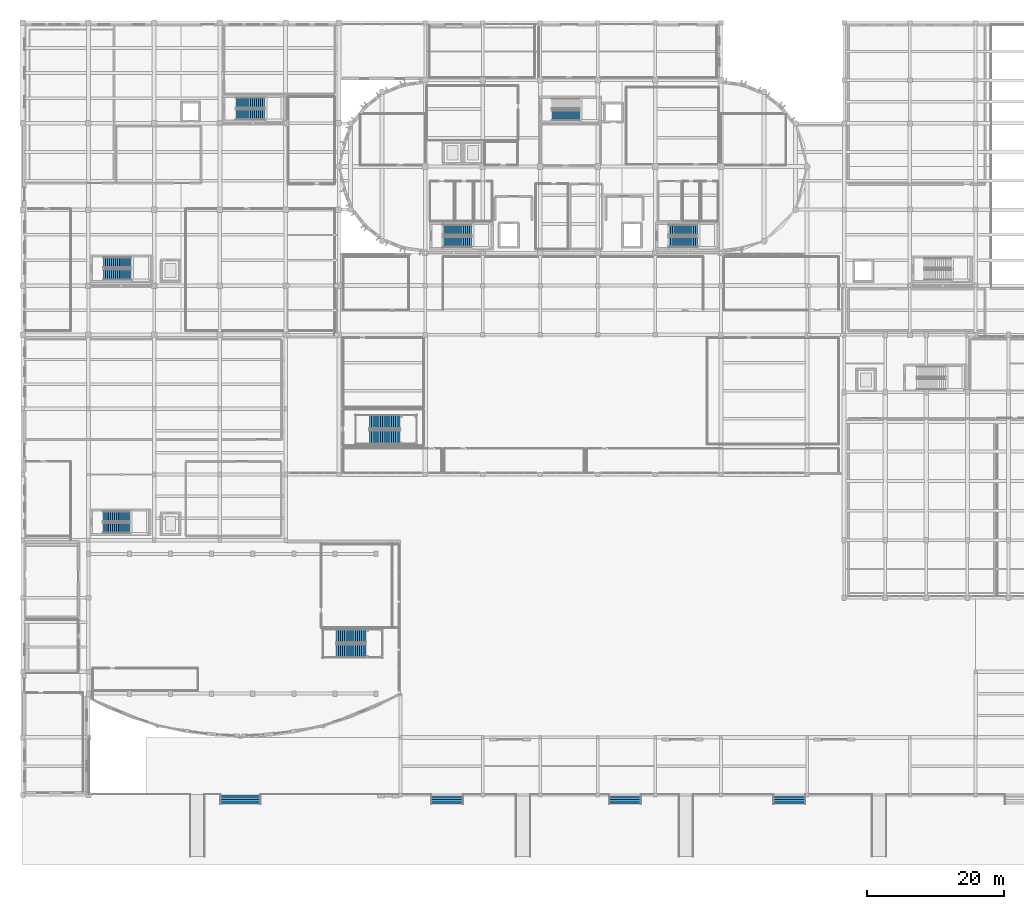
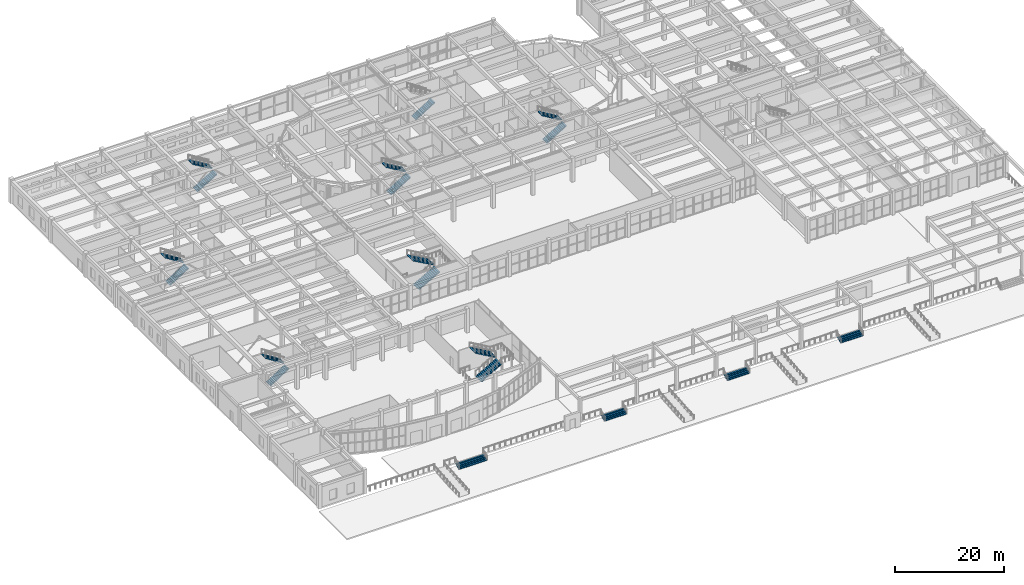
# One storey, part 78 of 98: 19 stair flights, 12 elements without a shape of their own.
"""IFC4 building model written with IfcOpenShell, lengths in metres."""

from ifc_helpers import new_model, si_unit, direction, frame, origin, place, context, subcontext, project, spatial, polyline, outline, extrude, material, type_object, element, aggregate, save


model = new_model("IFC4")

# Units and contexts
model_context = context("Model", 3, precision=1e-05, world=origin(), true_north=direction((0.0, 1.0)))
body_context = subcontext(model_context, "Body", "Model", "MODEL_VIEW")
ifc_project = project(units=[si_unit("LENGTHUNIT", "METRE"), si_unit("AREAUNIT", "SQUARE_METRE"), si_unit("VOLUMEUNIT", "CUBIC_METRE"), si_unit("PLANEANGLEUNIT", "RADIAN"), si_unit("MASSUNIT", "GRAM", prefix="KILO")], contexts=[model_context])

# Site, building, storey
site_placement = place(None, origin())
site = spatial("IfcSite", under=ifc_project, at=site_placement, CompositionType="ELEMENT")
building_placement = place(site_placement, origin())
building = spatial("IfcBuilding", under=site, at=building_placement, Name="Tarnavel Promenade Courthouse", CompositionType="ELEMENT")
storey_placement = place(building_placement, origin())
storey = spatial("IfcBuildingStorey", under=building, at=storey_placement, Name="L01", CompositionType="ELEMENT", Elevation=0.0)

# Stair, stair flights
ifc_material = material(Name="Concrete C35/45", Category="concrete")
stair_type_1 = type_object("IfcStairType", Name="Concrete C35/45 Half-Turn Stair STR-02 (1560W-300G-30R)", PredefinedType="HALF_TURN_STAIR", material=ifc_material)
stair_1_placement = place(storey_placement, origin())
stair_1 = element("IfcStair", 1, at=stair_1_placement, inside=storey, type_object=stair_type_1, Name="L01 West Bar Firefighting Exit Stair", PredefinedType="HALF_TURN_STAIR")
stair_flight_type_1 = type_object("IfcStairFlightType", Name="Concrete C35/45 Stair Flight STF-02 (1560W-300G-30R)", PredefinedType="STRAIGHT", material=ifc_material)
stair_flight_1_placement = place(storey_placement, frame((61.360107421875, 80.780029296875, 0.0), z_axis=(0.0, 0.0, 1.0), x_axis=(1.0, 0.0, 0.0)))
stair_flight_1 = element("IfcStairFlight", 2, at=stair_flight_1_placement, type_object=stair_flight_type_1, Name="ST-01 flight 1", NumberOfRisers=15, NumberOfTreads=14, PredefinedType="STRAIGHT", RiserHeight=0.18, TreadLength=0.3, context=body_context, shape_type="SweptSolid", body=[
    extrude(outline(polyline([(0.0, 0.0), (0.0, 0.179931640625), (0.300048828125, 0.179931640625), (0.300048828125, 0.360107421875), (0.60009765625, 0.360107421875), (0.60009765625, 0.5400390625), (0.89990234375, 0.5400390625), (0.89990234375, 0.719970703125), (1.199951171875, 0.719970703125), (1.199951171875, 0.89990234375), (1.5, 0.89990234375), (1.5, 1.080078125), (1.800048828125, 1.080078125), (1.800048828125, 1.260009765625), (2.10009765625, 1.260009765625), (2.10009765625, 1.43994140625), (2.39990234375, 1.43994140625), (2.39990234375, 1.6201171875), (2.699951171875, 1.6201171875), (2.699951171875, 1.800048828125), (3.0, 1.800048828125), (3.0, 1.97998046875), (3.300048828125, 1.97998046875), (3.300048828125, 2.159912109375), (3.60009765625, 2.159912109375), (3.60009765625, 2.340087890625), (3.89990234375, 2.340087890625), (3.89990234375, 2.52001953125), (4.199951171875, 2.52001953125), (4.199951171875, 2.699951171875), (4.199951171875, 2.34521484375), (0.291259765625, 0.0), (0.0, 0.0)])), frame((0.0, 0.780029296875, 0.0), z_axis=(0.0, -1.0, 0.0), x_axis=(1.0, 0.0, 0.0)), (0.0, 0.0, 1.0), 1.56005859375),
])
stair_flight_2_placement = place(storey_placement, frame((65.56005859375, 82.5400390625, 2.699951171875), z_axis=(0.0, 0.0, 1.0), x_axis=(-1.0, 0.0, 0.0)))
stair_flight_2 = element("IfcStairFlight", 3, at=stair_flight_2_placement, type_object=stair_flight_type_1, Name="ST-01 flight 2", NumberOfRisers=15, NumberOfTreads=14, PredefinedType="STRAIGHT", RiserHeight=0.18, TreadLength=0.3, context=body_context, shape_type="SweptSolid", body=[
    extrude(outline(polyline([(0.0, 0.0), (0.0, 0.179931640625), (0.300048828125, 0.179931640625), (0.300048828125, 0.360107421875), (0.60009765625, 0.360107421875), (0.60009765625, 0.5400390625), (0.89990234375, 0.5400390625), (0.89990234375, 0.719970703125), (1.199951171875, 0.719970703125), (1.199951171875, 0.89990234375), (1.5, 0.89990234375), (1.5, 1.080078125), (1.800048828125, 1.080078125), (1.800048828125, 1.260009765625), (2.10009765625, 1.260009765625), (2.10009765625, 1.43994140625), (2.39990234375, 1.43994140625), (2.39990234375, 1.6201171875), (2.699951171875, 1.6201171875), (2.699951171875, 1.800048828125), (3.0, 1.800048828125), (3.0, 1.97998046875), (3.300048828125, 1.97998046875), (3.300048828125, 2.159912109375), (3.60009765625, 2.159912109375), (3.60009765625, 2.340087890625), (3.89990234375, 2.340087890625), (3.89990234375, 2.52001953125), (4.199951171875, 2.52001953125), (4.199951171875, 2.699951171875), (4.199951171875, 2.34521484375), (0.291259765625, 0.0), (0.0, 0.0)])), frame((0.0, 0.780029296875, 0.0), z_axis=(0.0, -1.0, 0.0), x_axis=(1.0, 0.0, 0.0)), (0.0, 0.0, 1.0), 1.56005859375),
])
aggregate(stair_1, [stair_flight_1, stair_flight_2])

stair_2_placement = place(storey_placement, origin())
stair_2 = element("IfcStair", 4, at=stair_2_placement, inside=storey, type_object=stair_type_1, Name="L01 East Bar Firefighting Exit Stair", PredefinedType="HALF_TURN_STAIR")
stair_flight_3_placement = place(storey_placement, frame((94.360107421875, 80.780029296875, 0.0), z_axis=(0.0, 0.0, 1.0), x_axis=(1.0, 0.0, 0.0)))
stair_flight_3 = element("IfcStairFlight", 5, at=stair_flight_3_placement, type_object=stair_flight_type_1, Name="ST-02 flight 1", NumberOfRisers=15, NumberOfTreads=14, PredefinedType="STRAIGHT", RiserHeight=0.18, TreadLength=0.3, context=body_context, shape_type="SweptSolid", body=[
    extrude(outline(polyline([(0.0, 0.0), (0.0, 0.179931640625), (0.300048828125, 0.179931640625), (0.300048828125, 0.360107421875), (0.60009765625, 0.360107421875), (0.60009765625, 0.5400390625), (0.89990234375, 0.5400390625), (0.89990234375, 0.719970703125), (1.199951171875, 0.719970703125), (1.199951171875, 0.89990234375), (1.5, 0.89990234375), (1.5, 1.080078125), (1.800048828125, 1.080078125), (1.800048828125, 1.260009765625), (2.10009765625, 1.260009765625), (2.10009765625, 1.43994140625), (2.39990234375, 1.43994140625), (2.39990234375, 1.6201171875), (2.699951171875, 1.6201171875), (2.699951171875, 1.800048828125), (3.0, 1.800048828125), (3.0, 1.97998046875), (3.300048828125, 1.97998046875), (3.300048828125, 2.159912109375), (3.60009765625, 2.159912109375), (3.60009765625, 2.340087890625), (3.89990234375, 2.340087890625), (3.89990234375, 2.52001953125), (4.199951171875, 2.52001953125), (4.199951171875, 2.699951171875), (4.199951171875, 2.34521484375), (0.291259765625, 0.0), (0.0, 0.0)])), frame((0.0, 0.780029296875, 0.0), z_axis=(0.0, -1.0, 0.0), x_axis=(1.0, 0.0, 0.0)), (0.0, 0.0, 1.0), 1.56005859375),
])
stair_flight_4_placement = place(storey_placement, frame((98.56005859375, 82.5400390625, 2.699951171875), z_axis=(0.0, 0.0, 1.0), x_axis=(-1.0, 0.0, 0.0)))
stair_flight_4 = element("IfcStairFlight", 6, at=stair_flight_4_placement, type_object=stair_flight_type_1, Name="ST-02 flight 2", NumberOfRisers=15, NumberOfTreads=14, PredefinedType="STRAIGHT", RiserHeight=0.18, TreadLength=0.3, context=body_context, shape_type="SweptSolid", body=[
    extrude(outline(polyline([(0.0, 0.0), (0.0, 0.179931640625), (0.300048828125, 0.179931640625), (0.300048828125, 0.360107421875), (0.60009765625, 0.360107421875), (0.60009765625, 0.5400390625), (0.89990234375, 0.5400390625), (0.89990234375, 0.719970703125), (1.199951171875, 0.719970703125), (1.199951171875, 0.89990234375), (1.5, 0.89990234375), (1.5, 1.080078125), (1.800048828125, 1.080078125), (1.800048828125, 1.260009765625), (2.10009765625, 1.260009765625), (2.10009765625, 1.43994140625), (2.39990234375, 1.43994140625), (2.39990234375, 1.6201171875), (2.699951171875, 1.6201171875), (2.699951171875, 1.800048828125), (3.0, 1.800048828125), (3.0, 1.97998046875), (3.300048828125, 1.97998046875), (3.300048828125, 2.159912109375), (3.60009765625, 2.159912109375), (3.60009765625, 2.340087890625), (3.89990234375, 2.340087890625), (3.89990234375, 2.52001953125), (4.199951171875, 2.52001953125), (4.199951171875, 2.699951171875), (4.199951171875, 2.34521484375), (0.291259765625, 0.0), (0.0, 0.0)])), frame((0.0, 0.780029296875, 0.0), z_axis=(0.0, -1.0, 0.0), x_axis=(1.0, 0.0, 0.0)), (0.0, 0.0, 1.0), 1.56005859375),
])
aggregate(stair_2, [stair_flight_3, stair_flight_4])

# Stair, stair flight
stair_type_2 = type_object("IfcStairType", Name="Concrete C35/45 Half-Turn Stair STR-05 (1520W-290G-30R)", PredefinedType="HALF_TURN_STAIR", material=ifc_material)
stair_3_placement = place(storey_placement, origin())
stair_3 = element("IfcStair", 7, at=stair_3_placement, inside=storey, type_object=stair_type_2, Name="L01 Central Judicial Chambers Exit Stair", PredefinedType="HALF_TURN_STAIR")
stair_flight_type_2 = type_object("IfcStairFlightType", Name="Concrete C35/45 Stair Flight STF-05 (1520W-290G-30R)", PredefinedType="STRAIGHT", material=ifc_material)
stair_flight_5_placement = place(storey_placement, frame((77.320068359375, 99.260009765625, 0.0), z_axis=(0.0, 0.0, 1.0), x_axis=(1.0, 0.0, 0.0)))
stair_flight_5 = element("IfcStairFlight", 8, at=stair_flight_5_placement, type_object=stair_flight_type_2, Name="ST-03 flight 1", NumberOfRisers=15, NumberOfTreads=14, PredefinedType="STRAIGHT", RiserHeight=0.18, TreadLength=0.29, context=body_context, shape_type="SweptSolid", body=[
    extrude(outline(polyline([(0.0, 0.0), (0.0, 0.179931640625), (0.2900390625, 0.179931640625), (0.2900390625, 0.360107421875), (0.580078125, 0.360107421875), (0.580078125, 0.5400390625), (0.8701171875, 0.5400390625), (0.8701171875, 0.719970703125), (1.159912109375, 0.719970703125), (1.159912109375, 0.89990234375), (1.449951171875, 0.89990234375), (1.449951171875, 1.080078125), (1.739990234375, 1.080078125), (1.739990234375, 1.260009765625), (2.030029296875, 1.260009765625), (2.030029296875, 1.43994140625), (2.320068359375, 1.43994140625), (2.320068359375, 1.6201171875), (2.610107421875, 1.6201171875), (2.610107421875, 1.800048828125), (2.89990234375, 1.800048828125), (2.89990234375, 1.97998046875), (3.18994140625, 1.97998046875), (3.18994140625, 2.159912109375), (3.47998046875, 2.159912109375), (3.47998046875, 2.340087890625), (3.77001953125, 2.340087890625), (3.77001953125, 2.52001953125), (4.06005859375, 2.52001953125), (4.06005859375, 2.699951171875), (4.06005859375, 2.343505859375), (0.2841796875, 0.0), (0.0, 0.0)])), frame((0.0, 0.760009765625, 0.0), z_axis=(0.0, -1.0, 0.0), x_axis=(1.0, 0.0, 0.0)), (0.0, 0.0, 1.0), 1.52001953125),
])
aggregate(stair_3, [stair_flight_5])

# Stair, stair flights
stair_type_3 = type_object("IfcStairType", Name="Concrete C35/45 Half-Turn Stair STR-08 (1580W-290G-30R)", PredefinedType="HALF_TURN_STAIR", material=ifc_material)
stair_4_placement = place(storey_placement, origin())
stair_4 = element("IfcStair", 9, at=stair_4_placement, inside=storey, type_object=stair_type_3, Name="L01 Trial Courts West Exit Stair", PredefinedType="HALF_TURN_STAIR")
stair_flight_type_3 = type_object("IfcStairFlightType", Name="Concrete C35/45 Stair Flight STF-08 (1580W-290G-30R)", PredefinedType="STRAIGHT", material=ifc_material)
stair_flight_6_placement = place(storey_placement, frame((11.780029296875, 75.989990234375, 0.0), z_axis=(0.0, 0.0, 1.0), x_axis=(1.0, 0.0, 0.0)))
stair_flight_6 = element("IfcStairFlight", 10, at=stair_flight_6_placement, type_object=stair_flight_type_3, Name="ST-04 flight 1", NumberOfRisers=15, NumberOfTreads=14, PredefinedType="STRAIGHT", RiserHeight=0.18, TreadLength=0.29, context=body_context, shape_type="SweptSolid", body=[
    extrude(outline(polyline([(0.0, 0.0), (0.0, 0.179931640625), (0.2900390625, 0.179931640625), (0.2900390625, 0.360107421875), (0.580078125, 0.360107421875), (0.580078125, 0.5400390625), (0.8701171875, 0.5400390625), (0.8701171875, 0.719970703125), (1.159912109375, 0.719970703125), (1.159912109375, 0.89990234375), (1.449951171875, 0.89990234375), (1.449951171875, 1.080078125), (1.739990234375, 1.080078125), (1.739990234375, 1.260009765625), (2.030029296875, 1.260009765625), (2.030029296875, 1.43994140625), (2.320068359375, 1.43994140625), (2.320068359375, 1.6201171875), (2.610107421875, 1.6201171875), (2.610107421875, 1.800048828125), (2.89990234375, 1.800048828125), (2.89990234375, 1.97998046875), (3.18994140625, 1.97998046875), (3.18994140625, 2.159912109375), (3.47998046875, 2.159912109375), (3.47998046875, 2.340087890625), (3.77001953125, 2.340087890625), (3.77001953125, 2.52001953125), (4.06005859375, 2.52001953125), (4.06005859375, 2.699951171875), (4.06005859375, 2.343505859375), (0.2841796875, 0.0), (0.0, 0.0)])), frame((0.0, 0.7900390625, 0.0), z_axis=(0.0, -1.0, 0.0), x_axis=(1.0, 0.0, 0.0)), (0.0, 0.0, 1.0), 1.580078125),
])
stair_flight_7_placement = place(storey_placement, frame((15.840087890625, 77.77001953125, 2.699951171875), z_axis=(0.0, 0.0, 1.0), x_axis=(-1.0, 0.0, 0.0)))
stair_flight_7 = element("IfcStairFlight", 11, at=stair_flight_7_placement, type_object=stair_flight_type_3, Name="ST-04 flight 2", NumberOfRisers=15, NumberOfTreads=14, PredefinedType="STRAIGHT", RiserHeight=0.18, TreadLength=0.29, context=body_context, shape_type="SweptSolid", body=[
    extrude(outline(polyline([(0.0, 0.0), (0.0, 0.179931640625), (0.2900390625, 0.179931640625), (0.2900390625, 0.360107421875), (0.580078125, 0.360107421875), (0.580078125, 0.5400390625), (0.8701171875, 0.5400390625), (0.8701171875, 0.719970703125), (1.159912109375, 0.719970703125), (1.159912109375, 0.89990234375), (1.449951171875, 0.89990234375), (1.449951171875, 1.080078125), (1.739990234375, 1.080078125), (1.739990234375, 1.260009765625), (2.030029296875, 1.260009765625), (2.030029296875, 1.43994140625), (2.320068359375, 1.43994140625), (2.320068359375, 1.6201171875), (2.610107421875, 1.6201171875), (2.610107421875, 1.800048828125), (2.89990234375, 1.800048828125), (2.89990234375, 1.97998046875), (3.18994140625, 1.97998046875), (3.18994140625, 2.159912109375), (3.47998046875, 2.159912109375), (3.47998046875, 2.340087890625), (3.77001953125, 2.340087890625), (3.77001953125, 2.52001953125), (4.06005859375, 2.52001953125), (4.06005859375, 2.699951171875), (4.06005859375, 2.343505859375), (0.2841796875, 0.0), (0.0, 0.0)])), frame((0.0, 0.7900390625, 0.0), z_axis=(0.0, -1.0, 0.0), x_axis=(1.0, 0.0, 0.0)), (0.0, 0.0, 1.0), 1.580078125),
])
aggregate(stair_4, [stair_flight_6, stair_flight_7])

stair_type_4 = type_object("IfcStairType", Name="Concrete C35/45 Half-Turn Stair STR-11 (1540W-300G-30R)", PredefinedType="HALF_TURN_STAIR", material=ifc_material)
stair_5_placement = place(storey_placement, origin())
stair_5 = element("IfcStair", 12, at=stair_5_placement, inside=storey, type_object=stair_type_4, Name="L01 Trial Courts North Exit Stair", PredefinedType="HALF_TURN_STAIR")
stair_flight_type_4 = type_object("IfcStairFlightType", Name="Concrete C35/45 Stair Flight STF-11 (1540W-300G-30R)", PredefinedType="STRAIGHT", material=ifc_material)
stair_flight_8_placement = place(storey_placement, frame((31.139892578125, 99.3701171875, 0.0), z_axis=(0.0, 0.0, 1.0), x_axis=(1.0, 0.0, 0.0)))
stair_flight_8 = element("IfcStairFlight", 13, at=stair_flight_8_placement, type_object=stair_flight_type_4, Name="ST-07 flight 1", NumberOfRisers=15, NumberOfTreads=14, PredefinedType="STRAIGHT", RiserHeight=0.18, TreadLength=0.3, context=body_context, shape_type="SweptSolid", body=[
    extrude(outline(polyline([(0.0, 0.0), (0.0, 0.179931640625), (0.300048828125, 0.179931640625), (0.300048828125, 0.360107421875), (0.60009765625, 0.360107421875), (0.60009765625, 0.5400390625), (0.89990234375, 0.5400390625), (0.89990234375, 0.719970703125), (1.199951171875, 0.719970703125), (1.199951171875, 0.89990234375), (1.5, 0.89990234375), (1.5, 1.080078125), (1.800048828125, 1.080078125), (1.800048828125, 1.260009765625), (2.10009765625, 1.260009765625), (2.10009765625, 1.43994140625), (2.39990234375, 1.43994140625), (2.39990234375, 1.6201171875), (2.699951171875, 1.6201171875), (2.699951171875, 1.800048828125), (3.0, 1.800048828125), (3.0, 1.97998046875), (3.300048828125, 1.97998046875), (3.300048828125, 2.159912109375), (3.60009765625, 2.159912109375), (3.60009765625, 2.340087890625), (3.89990234375, 2.340087890625), (3.89990234375, 2.52001953125), (4.199951171875, 2.52001953125), (4.199951171875, 2.699951171875), (4.199951171875, 2.34521484375), (0.291259765625, 0.0), (0.0, 0.0)])), frame((0.0, 0.77001953125, 0.0), z_axis=(0.0, -1.0, 0.0), x_axis=(1.0, 0.0, 0.0)), (0.0, 0.0, 1.0), 1.5400390625),
])
stair_flight_9_placement = place(storey_placement, frame((35.340087890625, 101.110107421875, 2.699951171875), z_axis=(0.0, 0.0, 1.0), x_axis=(-1.0, 0.0, 0.0)))
stair_flight_9 = element("IfcStairFlight", 14, at=stair_flight_9_placement, type_object=stair_flight_type_4, Name="ST-07 flight 2", NumberOfRisers=15, NumberOfTreads=14, PredefinedType="STRAIGHT", RiserHeight=0.18, TreadLength=0.3, context=body_context, shape_type="SweptSolid", body=[
    extrude(outline(polyline([(0.0, 0.0), (0.0, 0.179931640625), (0.300048828125, 0.179931640625), (0.300048828125, 0.360107421875), (0.60009765625, 0.360107421875), (0.60009765625, 0.5400390625), (0.89990234375, 0.5400390625), (0.89990234375, 0.719970703125), (1.199951171875, 0.719970703125), (1.199951171875, 0.89990234375), (1.5, 0.89990234375), (1.5, 1.080078125), (1.800048828125, 1.080078125), (1.800048828125, 1.260009765625), (2.10009765625, 1.260009765625), (2.10009765625, 1.43994140625), (2.39990234375, 1.43994140625), (2.39990234375, 1.6201171875), (2.699951171875, 1.6201171875), (2.699951171875, 1.800048828125), (3.0, 1.800048828125), (3.0, 1.97998046875), (3.300048828125, 1.97998046875), (3.300048828125, 2.159912109375), (3.60009765625, 2.159912109375), (3.60009765625, 2.340087890625), (3.89990234375, 2.340087890625), (3.89990234375, 2.52001953125), (4.199951171875, 2.52001953125), (4.199951171875, 2.699951171875), (4.199951171875, 2.34521484375), (0.291259765625, 0.0), (0.0, 0.0)])), frame((0.0, 0.77001953125, 0.0), z_axis=(0.0, -1.0, 0.0), x_axis=(1.0, 0.0, 0.0)), (0.0, 0.0, 1.0), 1.5400390625),
])
aggregate(stair_5, [stair_flight_8, stair_flight_9])

stair_type_5 = type_object("IfcStairType", Name="Concrete C35/45 Half-Turn Stair STR-13 (1520W-280G-30R)", PredefinedType="HALF_TURN_STAIR", material=ifc_material)
stair_6_placement = place(storey_placement, origin())
stair_6 = element("IfcStair", 15, at=stair_6_placement, inside=storey, type_object=stair_type_5, Name="L01 Law Library Exit Stair", PredefinedType="HALF_TURN_STAIR")
stair_flight_type_5 = type_object("IfcStairFlightType", Name="Concrete C35/45 Stair Flight STF-13 (1520W-280G-30R)", PredefinedType="STRAIGHT", material=ifc_material)
stair_flight_10_placement = place(storey_placement, frame((11.719970703125, 38.9599609375, 0.0), z_axis=(0.0, 0.0, 1.0), x_axis=(1.0, 0.0, 0.0)))
stair_flight_10 = element("IfcStairFlight", 16, at=stair_flight_10_placement, type_object=stair_flight_type_5, Name="ST-05 flight 1", NumberOfRisers=15, NumberOfTreads=14, PredefinedType="STRAIGHT", RiserHeight=0.18, TreadLength=0.28, context=body_context, shape_type="SweptSolid", body=[
    extrude(outline(polyline([(0.0, 0.0), (0.0, 0.179931640625), (0.280029296875, 0.179931640625), (0.280029296875, 0.360107421875), (0.56005859375, 0.360107421875), (0.56005859375, 0.5400390625), (0.840087890625, 0.5400390625), (0.840087890625, 0.719970703125), (1.1201171875, 0.719970703125), (1.1201171875, 0.89990234375), (1.39990234375, 0.89990234375), (1.39990234375, 1.080078125), (1.679931640625, 1.080078125), (1.679931640625, 1.260009765625), (1.9599609375, 1.260009765625), (1.9599609375, 1.43994140625), (2.239990234375, 1.43994140625), (2.239990234375, 1.6201171875), (2.52001953125, 1.6201171875), (2.52001953125, 1.800048828125), (2.800048828125, 1.800048828125), (2.800048828125, 1.97998046875), (3.080078125, 1.97998046875), (3.080078125, 2.159912109375), (3.360107421875, 2.159912109375), (3.360107421875, 2.340087890625), (3.639892578125, 2.340087890625), (3.639892578125, 2.52001953125), (3.919921875, 2.52001953125), (3.919921875, 2.699951171875), (3.919921875, 2.341796875), (0.277099609375, 0.0), (0.0, 0.0)])), frame((0.0, 0.760009765625, 0.0), z_axis=(0.0, -1.0, 0.0), x_axis=(1.0, 0.0, 0.0)), (0.0, 0.0, 1.0), 1.52001953125),
])
stair_flight_11_placement = place(storey_placement, frame((15.639892578125, 40.679931640625, 2.699951171875), z_axis=(0.0, 0.0, 1.0), x_axis=(-1.0, 0.0, 0.0)))
stair_flight_11 = element("IfcStairFlight", 17, at=stair_flight_11_placement, type_object=stair_flight_type_5, Name="ST-05 flight 2", NumberOfRisers=15, NumberOfTreads=14, PredefinedType="STRAIGHT", RiserHeight=0.18, TreadLength=0.28, context=body_context, shape_type="SweptSolid", body=[
    extrude(outline(polyline([(0.0, 0.0), (0.0, 0.179931640625), (0.280029296875, 0.179931640625), (0.280029296875, 0.360107421875), (0.56005859375, 0.360107421875), (0.56005859375, 0.5400390625), (0.840087890625, 0.5400390625), (0.840087890625, 0.719970703125), (1.1201171875, 0.719970703125), (1.1201171875, 0.89990234375), (1.39990234375, 0.89990234375), (1.39990234375, 1.080078125), (1.679931640625, 1.080078125), (1.679931640625, 1.260009765625), (1.9599609375, 1.260009765625), (1.9599609375, 1.43994140625), (2.239990234375, 1.43994140625), (2.239990234375, 1.6201171875), (2.52001953125, 1.6201171875), (2.52001953125, 1.800048828125), (2.800048828125, 1.800048828125), (2.800048828125, 1.97998046875), (3.080078125, 1.97998046875), (3.080078125, 2.159912109375), (3.360107421875, 2.159912109375), (3.360107421875, 2.340087890625), (3.639892578125, 2.340087890625), (3.639892578125, 2.52001953125), (3.919921875, 2.52001953125), (3.919921875, 2.699951171875), (3.919921875, 2.341796875), (0.277099609375, 0.0), (0.0, 0.0)])), frame((0.0, 0.760009765625, 0.0), z_axis=(0.0, -1.0, 0.0), x_axis=(1.0, 0.0, 0.0)), (0.0, 0.0, 1.0), 1.52001953125),
])
aggregate(stair_6, [stair_flight_10, stair_flight_11])

stair_type_6 = type_object("IfcStairType", Name="Concrete C35/45 Half-Turn Stair STR-20 (2000W-310G-30R)", PredefinedType="HALF_TURN_STAIR", material=ifc_material)
stair_7_placement = place(storey_placement, origin())
stair_7 = element("IfcStair", 18, at=stair_7_placement, inside=storey, type_object=stair_type_6, Name="L01 Public Hall Gallery Stair", PredefinedType="HALF_TURN_STAIR")
stair_flight_type_6 = type_object("IfcStairFlightType", Name="Concrete C35/45 Stair Flight STF-20 (2000W-310G-30R)", PredefinedType="STRAIGHT", material=ifc_material)
stair_flight_12_placement = place(storey_placement, frame((45.800048828125, 21.0, 0.0), z_axis=(0.0, 0.0, 1.0), x_axis=(1.0, 0.0, 0.0)))
stair_flight_12 = element("IfcStairFlight", 19, at=stair_flight_12_placement, type_object=stair_flight_type_6, Name="ST-09 flight 1", NumberOfRisers=15, NumberOfTreads=14, PredefinedType="STRAIGHT", RiserHeight=0.18, TreadLength=0.31, context=body_context, shape_type="SweptSolid", body=[
    extrude(outline(polyline([(0.0, 0.0), (0.0, 0.179931640625), (0.31005859375, 0.179931640625), (0.31005859375, 0.360107421875), (0.6201171875, 0.360107421875), (0.6201171875, 0.5400390625), (0.929931640625, 0.5400390625), (0.929931640625, 0.719970703125), (1.239990234375, 0.719970703125), (1.239990234375, 0.89990234375), (1.550048828125, 0.89990234375), (1.550048828125, 1.080078125), (1.860107421875, 1.080078125), (1.860107421875, 1.260009765625), (2.169921875, 1.260009765625), (2.169921875, 1.43994140625), (2.47998046875, 1.43994140625), (2.47998046875, 1.6201171875), (2.7900390625, 1.6201171875), (2.7900390625, 1.800048828125), (3.10009765625, 1.800048828125), (3.10009765625, 1.97998046875), (3.409912109375, 1.97998046875), (3.409912109375, 2.159912109375), (3.719970703125, 2.159912109375), (3.719970703125, 2.340087890625), (4.030029296875, 2.340087890625), (4.030029296875, 2.52001953125), (4.340087890625, 2.52001953125), (4.340087890625, 2.699951171875), (4.340087890625, 2.3466796875), (0.298583984375, 0.0), (0.0, 0.0)])), frame((0.0, 1.0, 0.0), z_axis=(0.0, -1.0, 0.0), x_axis=(1.0, 0.0, 0.0)), (0.0, 0.0, 1.0), 2.0),
])
stair_flight_13_placement = place(storey_placement, frame((50.139892578125, 23.199951171875, 2.699951171875), z_axis=(0.0, 0.0, 1.0), x_axis=(-1.0, 0.0, 0.0)))
stair_flight_13 = element("IfcStairFlight", 20, at=stair_flight_13_placement, type_object=stair_flight_type_6, Name="ST-09 flight 2", NumberOfRisers=15, NumberOfTreads=14, PredefinedType="STRAIGHT", RiserHeight=0.18, TreadLength=0.31, context=body_context, shape_type="SweptSolid", body=[
    extrude(outline(polyline([(0.0, 0.0), (0.0, 0.179931640625), (0.31005859375, 0.179931640625), (0.31005859375, 0.360107421875), (0.6201171875, 0.360107421875), (0.6201171875, 0.5400390625), (0.929931640625, 0.5400390625), (0.929931640625, 0.719970703125), (1.239990234375, 0.719970703125), (1.239990234375, 0.89990234375), (1.550048828125, 0.89990234375), (1.550048828125, 1.080078125), (1.860107421875, 1.080078125), (1.860107421875, 1.260009765625), (2.169921875, 1.260009765625), (2.169921875, 1.43994140625), (2.47998046875, 1.43994140625), (2.47998046875, 1.6201171875), (2.7900390625, 1.6201171875), (2.7900390625, 1.800048828125), (3.10009765625, 1.800048828125), (3.10009765625, 1.97998046875), (3.409912109375, 1.97998046875), (3.409912109375, 2.159912109375), (3.719970703125, 2.159912109375), (3.719970703125, 2.340087890625), (4.030029296875, 2.340087890625), (4.030029296875, 2.52001953125), (4.340087890625, 2.52001953125), (4.340087890625, 2.699951171875), (4.340087890625, 2.3466796875), (0.298583984375, 0.0), (0.0, 0.0)])), frame((0.0, 1.0, 0.0), z_axis=(0.0, -1.0, 0.0), x_axis=(1.0, 0.0, 0.0)), (0.0, 0.0, 1.0), 2.0),
])
aggregate(stair_7, [stair_flight_12, stair_flight_13])

stair_type_7 = type_object("IfcStairType", Name="Concrete C35/45 Half-Turn Stair STR-22 (2050W-320G-30R)", PredefinedType="HALF_TURN_STAIR", material=ifc_material)
stair_8_placement = place(storey_placement, origin())
stair_8 = element("IfcStair", 21, at=stair_8_placement, inside=storey, type_object=stair_type_7, Name="L01 Winter-Garden Concourse Monumental Stair", PredefinedType="HALF_TURN_STAIR")
stair_flight_type_7 = type_object("IfcStairFlightType", Name="Concrete C35/45 Stair Flight STF-22 (2050W-320G-30R)", PredefinedType="STRAIGHT", material=ifc_material)
stair_flight_14_placement = place(storey_placement, frame((50.64990234375, 52.22509765625, 0.0), z_axis=(0.0, 0.0, 1.0), x_axis=(1.0, 0.0, 0.0)))
stair_flight_14 = element("IfcStairFlight", 22, at=stair_flight_14_placement, type_object=stair_flight_type_7, Name="ST-10 flight 1", NumberOfRisers=15, NumberOfTreads=14, PredefinedType="STRAIGHT", RiserHeight=0.18, TreadLength=0.32, context=body_context, shape_type="SweptSolid", body=[
    extrude(outline(polyline([(0.0, 0.0), (0.0, 0.179931640625), (0.320068359375, 0.179931640625), (0.320068359375, 0.360107421875), (0.639892578125, 0.360107421875), (0.639892578125, 0.5400390625), (0.9599609375, 0.5400390625), (0.9599609375, 0.719970703125), (1.280029296875, 0.719970703125), (1.280029296875, 0.89990234375), (1.60009765625, 0.89990234375), (1.60009765625, 1.080078125), (1.919921875, 1.080078125), (1.919921875, 1.260009765625), (2.239990234375, 1.260009765625), (2.239990234375, 1.43994140625), (2.56005859375, 1.43994140625), (2.56005859375, 1.6201171875), (2.8798828125, 1.6201171875), (2.8798828125, 1.800048828125), (3.199951171875, 1.800048828125), (3.199951171875, 1.97998046875), (3.52001953125, 1.97998046875), (3.52001953125, 2.159912109375), (3.840087890625, 2.159912109375), (3.840087890625, 2.340087890625), (4.159912109375, 2.340087890625), (4.159912109375, 2.52001953125), (4.47998046875, 2.52001953125), (4.47998046875, 2.699951171875), (4.47998046875, 2.347900390625), (0.3056640625, 0.0), (0.0, 0.0)])), frame((0.0, 1.02490234375, 0.0), z_axis=(0.0, -1.0, 0.0), x_axis=(1.0, 0.0, 0.0)), (0.0, 0.0, 1.0), 2.050048828125),
])
stair_flight_15_placement = place(storey_placement, frame((55.1298828125, 54.47509765625, 2.699951171875), z_axis=(0.0, 0.0, 1.0), x_axis=(-1.0, 0.0, 0.0)))
stair_flight_15 = element("IfcStairFlight", 23, at=stair_flight_15_placement, type_object=stair_flight_type_7, Name="ST-10 flight 2", NumberOfRisers=15, NumberOfTreads=14, PredefinedType="STRAIGHT", RiserHeight=0.18, TreadLength=0.32, context=body_context, shape_type="SweptSolid", body=[
    extrude(outline(polyline([(0.0, 0.0), (0.0, 0.179931640625), (0.320068359375, 0.179931640625), (0.320068359375, 0.360107421875), (0.639892578125, 0.360107421875), (0.639892578125, 0.5400390625), (0.9599609375, 0.5400390625), (0.9599609375, 0.719970703125), (1.280029296875, 0.719970703125), (1.280029296875, 0.89990234375), (1.60009765625, 0.89990234375), (1.60009765625, 1.080078125), (1.919921875, 1.080078125), (1.919921875, 1.260009765625), (2.239990234375, 1.260009765625), (2.239990234375, 1.43994140625), (2.56005859375, 1.43994140625), (2.56005859375, 1.6201171875), (2.8798828125, 1.6201171875), (2.8798828125, 1.800048828125), (3.199951171875, 1.800048828125), (3.199951171875, 1.97998046875), (3.52001953125, 1.97998046875), (3.52001953125, 2.159912109375), (3.840087890625, 2.159912109375), (3.840087890625, 2.340087890625), (4.159912109375, 2.340087890625), (4.159912109375, 2.52001953125), (4.47998046875, 2.52001953125), (4.47998046875, 2.699951171875), (4.47998046875, 2.347900390625), (0.3056640625, 0.0), (0.0, 0.0)])), frame((0.0, 1.02490234375, 0.0), z_axis=(0.0, -1.0, 0.0), x_axis=(1.0, 0.0, 0.0)), (0.0, 0.0, 1.0), 2.050048828125),
])
aggregate(stair_8, [stair_flight_14, stair_flight_15])

# Stair, stair flight
stair_type_8 = type_object("IfcStairType", Name="Subarctic Granite Plinth Stair ST-11 (6000W)", PredefinedType="STRAIGHT_RUN_STAIR", material=ifc_material)
stair_9_placement = place(storey_placement, origin())
stair_9 = element("IfcStair", 24, at=stair_9_placement, inside=storey, type_object=stair_type_8, Name="Main Portal South Plinth Steps", PredefinedType="STRAIGHT_RUN_STAIR")
stair_flight_type_8 = type_object("IfcStairFlightType", Name="Subarctic Granite Plinth Flight ST-11 (6000W)", PredefinedType="STRAIGHT", material=ifc_material)
stair_flight_16_placement = place(storey_placement, frame((31.800048828125, -1.360107421875, -0.75), z_axis=(0.0, 0.0, 1.0), x_axis=(0.0, 1.0, 0.0)))
stair_flight_16 = element("IfcStairFlight", 25, at=stair_flight_16_placement, type_object=stair_flight_type_8, Name="ST-11 flight 1", NumberOfRisers=5, NumberOfTreads=4, PredefinedType="STRAIGHT", RiserHeight=0.15, TreadLength=0.34, context=body_context, shape_type="SweptSolid", body=[
    extrude(outline(polyline([(0.0, 0.0), (0.0, 0.14990234375), (0.340087890625, 0.14990234375), (0.340087890625, 0.300048828125), (0.679931640625, 0.300048828125), (0.679931640625, 0.449951171875), (1.02001953125, 0.449951171875), (1.02001953125, 0.60009765625), (1.360107421875, 0.60009765625), (1.360107421875, 0.75), (1.360107421875, 0.561767578125), (0.08642578125, 0.0), (0.0, 0.0)])), frame((0.0, 3.0, 0.0), z_axis=(0.0, -1.0, 0.0), x_axis=(1.0, 0.0, 0.0)), (0.0, 0.0, 1.0), 6.0),
])
aggregate(stair_9, [stair_flight_16])

stair_type_9 = type_object("IfcStairType", Name="Subarctic Granite Plinth Stair ST-12 (4800W)", PredefinedType="STRAIGHT_RUN_STAIR", material=ifc_material)
stair_10_placement = place(storey_placement, origin())
stair_10 = element("IfcStair", 26, at=stair_10_placement, inside=storey, type_object=stair_type_9, Name="South Colonnade West Plinth Steps", PredefinedType="STRAIGHT_RUN_STAIR")
stair_flight_type_9 = type_object("IfcStairFlightType", Name="Subarctic Granite Plinth Flight ST-12 (4800W)", PredefinedType="STRAIGHT", material=ifc_material)
stair_flight_17_placement = place(storey_placement, frame((62.0, -1.360107421875, -0.75), z_axis=(0.0, 0.0, 1.0), x_axis=(0.0, 1.0, 0.0)))
stair_flight_17 = element("IfcStairFlight", 27, at=stair_flight_17_placement, type_object=stair_flight_type_9, Name="ST-12 flight 1", NumberOfRisers=5, NumberOfTreads=4, PredefinedType="STRAIGHT", RiserHeight=0.15, TreadLength=0.34, context=body_context, shape_type="SweptSolid", body=[
    extrude(outline(polyline([(0.0, 0.0), (0.0, 0.14990234375), (0.340087890625, 0.14990234375), (0.340087890625, 0.300048828125), (0.679931640625, 0.300048828125), (0.679931640625, 0.449951171875), (1.02001953125, 0.449951171875), (1.02001953125, 0.60009765625), (1.360107421875, 0.60009765625), (1.360107421875, 0.75), (1.360107421875, 0.561767578125), (0.08642578125, 0.0), (0.0, 0.0)])), frame((0.0, 2.39990234375, 0.0), z_axis=(0.0, -1.0, 0.0), x_axis=(1.0, 0.0, 0.0)), (0.0, 0.0, 1.0), 4.800048828125),
])
aggregate(stair_10, [stair_flight_17])

stair_type_10 = type_object("IfcStairType", Name="Subarctic Granite Plinth Stair ST-13 (4800W)", PredefinedType="STRAIGHT_RUN_STAIR", material=ifc_material)
stair_11_placement = place(storey_placement, origin())
stair_11 = element("IfcStair", 28, at=stair_11_placement, inside=storey, type_object=stair_type_10, Name="South Colonnade Central Plinth Steps", PredefinedType="STRAIGHT_RUN_STAIR")
stair_flight_type_10 = type_object("IfcStairFlightType", Name="Subarctic Granite Plinth Flight ST-13 (4800W)", PredefinedType="STRAIGHT", material=ifc_material)
stair_flight_18_placement = place(storey_placement, frame((88.0, -1.360107421875, -0.75), z_axis=(0.0, 0.0, 1.0), x_axis=(0.0, 1.0, 0.0)))
stair_flight_18 = element("IfcStairFlight", 29, at=stair_flight_18_placement, type_object=stair_flight_type_10, Name="ST-13 flight 1", NumberOfRisers=5, NumberOfTreads=4, PredefinedType="STRAIGHT", RiserHeight=0.15, TreadLength=0.34, context=body_context, shape_type="SweptSolid", body=[
    extrude(outline(polyline([(0.0, 0.0), (0.0, 0.14990234375), (0.340087890625, 0.14990234375), (0.340087890625, 0.300048828125), (0.679931640625, 0.300048828125), (0.679931640625, 0.449951171875), (1.02001953125, 0.449951171875), (1.02001953125, 0.60009765625), (1.360107421875, 0.60009765625), (1.360107421875, 0.75), (1.360107421875, 0.561767578125), (0.08642578125, 0.0), (0.0, 0.0)])), frame((0.0, 2.39990234375, 0.0), z_axis=(0.0, -1.0, 0.0), x_axis=(1.0, 0.0, 0.0)), (0.0, 0.0, 1.0), 4.800048828125),
])
aggregate(stair_11, [stair_flight_18])

stair_type_11 = type_object("IfcStairType", Name="Subarctic Granite Plinth Stair ST-14 (4800W)", PredefinedType="STRAIGHT_RUN_STAIR", material=ifc_material)
stair_12_placement = place(storey_placement, origin())
stair_12 = element("IfcStair", 30, at=stair_12_placement, inside=storey, type_object=stair_type_11, Name="South Colonnade East Plinth Steps", PredefinedType="STRAIGHT_RUN_STAIR")
stair_flight_type_11 = type_object("IfcStairFlightType", Name="Subarctic Granite Plinth Flight ST-14 (4800W)", PredefinedType="STRAIGHT", material=ifc_material)
stair_flight_19_placement = place(storey_placement, frame((112.0, -1.360107421875, -0.75), z_axis=(0.0, 0.0, 1.0), x_axis=(0.0, 1.0, 0.0)))
stair_flight_19 = element("IfcStairFlight", 31, at=stair_flight_19_placement, type_object=stair_flight_type_11, Name="ST-14 flight 1", NumberOfRisers=5, NumberOfTreads=4, PredefinedType="STRAIGHT", RiserHeight=0.15, TreadLength=0.34, context=body_context, shape_type="SweptSolid", body=[
    extrude(outline(polyline([(0.0, 0.0), (0.0, 0.14990234375), (0.340087890625, 0.14990234375), (0.340087890625, 0.300048828125), (0.679931640625, 0.300048828125), (0.679931640625, 0.449951171875), (1.02001953125, 0.449951171875), (1.02001953125, 0.60009765625), (1.360107421875, 0.60009765625), (1.360107421875, 0.75), (1.360107421875, 0.561767578125), (0.08642578125, 0.0), (0.0, 0.0)])), frame((0.0, 2.39990234375, 0.0), z_axis=(0.0, -1.0, 0.0), x_axis=(1.0, 0.0, 0.0)), (0.0, 0.0, 1.0), 4.800048828125),
])
aggregate(stair_12, [stair_flight_19])

save(model, "model.ifc")
